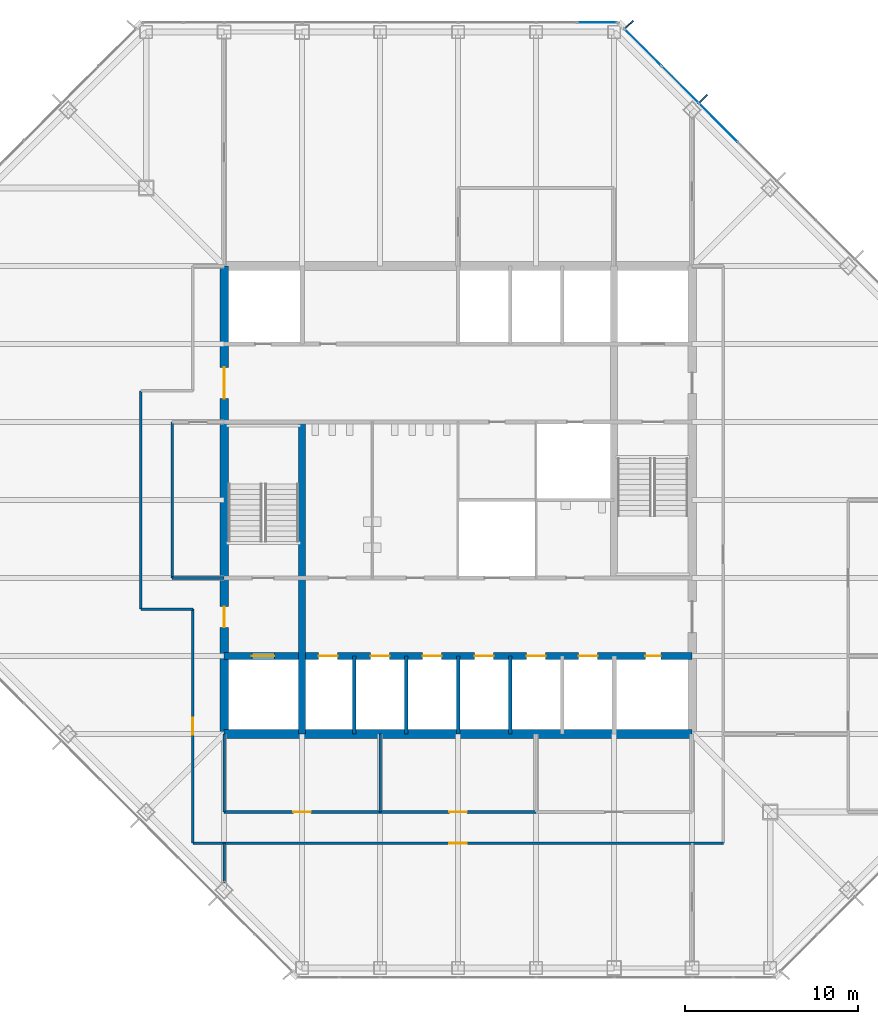
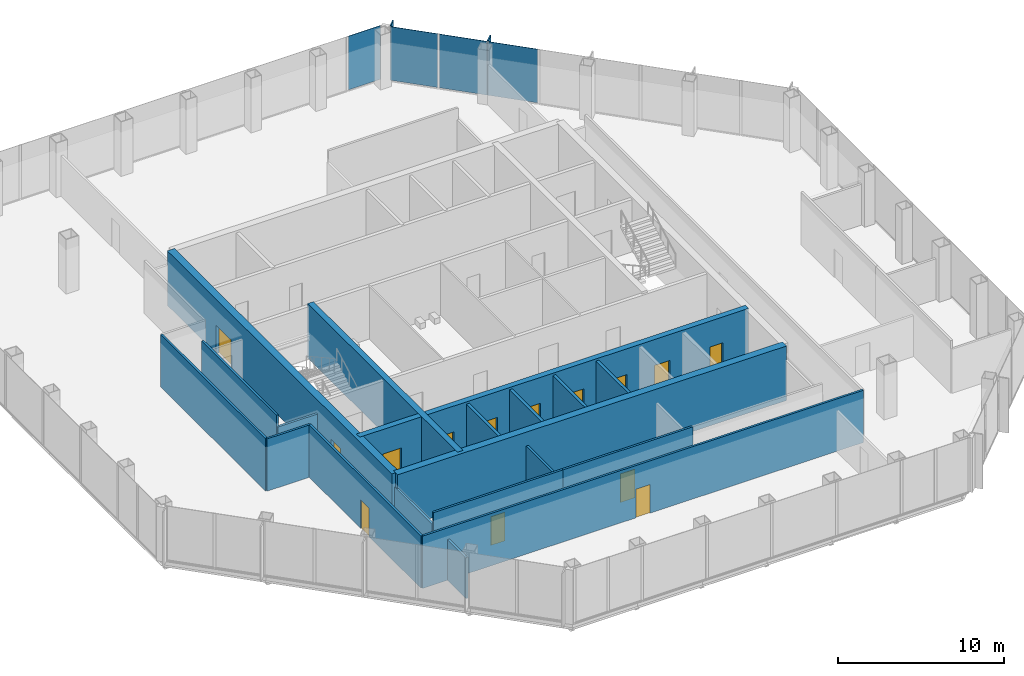
# One storey, part 8 of 12: 19 walls, 14 doors, 6 plates, 14 openings, 2 elements without a shape of their own.
"""IFC4 building model written with IfcOpenShell, lengths in metres."""

from ifc_helpers import new_model, si_unit, direction, frame, frame_2d, origin, origin_2d, place, context, subcontext, project, spatial, rectangle, extrude, material, layer, layer_set, type_object, element, fill, aggregate, save


model = new_model("IFC4")

# Units and contexts
model_context = context("Model", 3, precision=1e-05, world=origin(), true_north=direction((0.0, 1.0)))
body_context = subcontext(model_context, "Body", "Model", "MODEL_VIEW")
ifc_project = project(units=[si_unit("LENGTHUNIT", "METRE"), si_unit("AREAUNIT", "SQUARE_METRE"), si_unit("VOLUMEUNIT", "CUBIC_METRE"), si_unit("PLANEANGLEUNIT", "RADIAN"), si_unit("MASSUNIT", "GRAM", prefix="KILO")], contexts=[model_context])

# Site, building, storey
site_placement = place(None, origin())
site = spatial("IfcSite", under=ifc_project, at=site_placement, CompositionType="ELEMENT")
building_placement = place(site_placement, origin())
building = spatial("IfcBuilding", under=site, at=building_placement, Name="Corais Broadcast Tower", CompositionType="ELEMENT")
storey_placement = place(building_placement, frame((0.0, 0.0, 139.60009765625)))
storey = spatial("IfcBuildingStorey", under=building, at=storey_placement, Name="L31", CompositionType="ELEMENT", Elevation=139.60009765625)

# Curtain wall, plates
ifc_material_1 = material(Name="Aluminium and glass", Category="aluminium")
curtain_wall_type = type_object("IfcCurtainWallType", Name="Unitised fritted curtain wall CW2", PredefinedType="NOTDEFINED", material=ifc_material_1)
curtain_wall_1_placement = place(storey_placement, origin())
curtain_wall_1 = element("IfcCurtainWall", 1, at=curtain_wall_1_placement, inside=storey, type_object=curtain_wall_type, Name="CW2 curtain wall L31 5", PredefinedType="NOTDEFINED")
ifc_material_2 = material(Name="Ceramic-fritted laminated glass", Category="glass")
ifc_layer_1 = layer(ifc_material_2, 0.028076171875)
ifc_layer_set_1 = layer_set([ifc_layer_1], Name="Ceramic-fritted laminated glass")
plate_type_1 = type_object("IfcPlateType", Name="Fritted glass panel CW2", PredefinedType="CURTAIN_PANEL", material=ifc_layer_set_1)
plate_1_placement = place(storey_placement, frame((37.669677734375, 53.108154296875, 0.06494140625), z_axis=(0.0, 0.0, 1.0), x_axis=(0.707106781187, -0.707106781187, 0.0)))
plate_1 = element("IfcPlate", 2, at=plate_1_placement, type_object=plate_type_1, Name="CW2 panel 1", PredefinedType="CURTAIN_PANEL", context=body_context, shape_type="SweptSolid", body=[
    extrude(rectangle(XDim=2.9482421875, YDim=0.028076171875, at=origin_2d()), origin(), (0.0, 0.0, 1.0), 3.93505859375),
])
plate_2_placement = place(storey_placement, frame((42.013916015625, 48.763916015625, 0.06494140625), z_axis=(0.0, 0.0, 1.0), x_axis=(0.707106781187, -0.707106781187, 0.0)))
plate_2 = element("IfcPlate", 3, at=plate_2_placement, type_object=plate_type_1, Name="CW2 panel 3", PredefinedType="CURTAIN_PANEL", context=body_context, shape_type="SweptSolid", body=[
    extrude(rectangle(XDim=3.116943359375, YDim=0.028076171875, at=origin_2d()), origin(), (0.0, 0.0, 1.0), 3.93505859375),
])

# Curtain wall, plate
curtain_wall_2_placement = place(storey_placement, origin())
curtain_wall_2 = element("IfcCurtainWall", 4, at=curtain_wall_2_placement, inside=storey, type_object=curtain_wall_type, Name="CW2 curtain wall L31 4", PredefinedType="NOTDEFINED")
ifc_material_3 = material(Name="Clear laminated glass", Category="glass")
ifc_layer_2 = layer(ifc_material_3, 0.031982421875)
ifc_layer_set_2 = layer_set([ifc_layer_2], Name="Clear laminated glass")
plate_type_2 = type_object("IfcPlateType", Name="Operable glass panel CW2", PredefinedType="CURTAIN_PANEL", material=ifc_layer_set_2)
plate_3_placement = place(storey_placement, frame((35.029541015625, 54.550048828125, 0.06494140625), z_axis=(0.0, 0.0, 1.0), x_axis=(1.0, 0.0, 0.0)))
plate_3 = element("IfcPlate", 5, at=plate_3_placement, type_object=plate_type_2, Name="CW2 operable panel 8", PredefinedType="CURTAIN_PANEL", context=body_context, shape_type="SweptSolid", body=[
    extrude(rectangle(XDim=2.266357421875, YDim=0.031982421875, at=origin_2d()), origin(), (0.0, 0.0, 1.0), 3.93505859375),
])
aggregate(curtain_wall_2, [plate_3])

# Plate
plate_4_placement = place(storey_placement, frame((39.81201171875, 50.9658203125, 0.06494140625), z_axis=(0.0, 0.0, 1.0), x_axis=(0.707106781187, -0.707106781187, 0.0)))
plate_4 = element("IfcPlate", 6, at=plate_4_placement, type_object=plate_type_2, Name="CW2 operable panel 2", PredefinedType="CURTAIN_PANEL", context=body_context, shape_type="SweptSolid", body=[
    extrude(rectangle(XDim=2.98095703125, YDim=0.031982421875, at=origin_2d()), origin(), (0.0, 0.0, 1.0), 3.93505859375),
])

aggregate(curtain_wall_1, [plate_1, plate_4, plate_2])

# Plates
ifc_material_4 = material(Name="Granite stone cladding", Category="masonry")
ifc_layer_3 = layer(ifc_material_4, 0.080078125)
ifc_layer_set_3 = layer_set([ifc_layer_3], Name="Granite stone cladding")
plate_type_3 = type_object("IfcPlateType", Name="Stone screen fin 80x600", PredefinedType="USERDEFINED", material=ifc_layer_set_3)
for number, where, z_axis, x_axis, name in (
    (7, (36.8779296875, 54.447021484375, 0.0), (0.0, 0.0, 1.0), (0.707106781187, -0.707106781187, 0.0), "SF1 stone screen fin L31"),
    (8, (41.16259765625, 50.16259765625, 0.0), (0.0, 0.0, 1.0), (0.707106781187, -0.707106781187, 0.0), "SF1 stone screen fin L31"),
):
    element("IfcPlate", number, at=place(storey_placement, frame(where, z_axis=z_axis, x_axis=x_axis)), inside=storey, type_object=plate_type_3, Name=name, ObjectType="STONE SCREEN FIN", PredefinedType="USERDEFINED", context=body_context, shape_type="SweptSolid", body=[
        extrude(rectangle(XDim=0.080078125, YDim=0.60009765625, at=origin_2d()), origin(), (0.0, 0.0, 1.0), 4.0),
    ])

# Wall
ifc_material_5 = material(Name="Concrete C50/60", Category="concrete")
ifc_layer_4 = layer(ifc_material_5, 0.39990234375)
ifc_layer_set_4 = layer_set([ifc_layer_4], Name="Concrete C50/60")
wall_type_1 = type_object("IfcWallType", Name="Core wall 400", PredefinedType="SHEAR", material=ifc_layer_set_4)
wall_1_placement = place(storey_placement, frame((18.0, 13.5, 0.0), z_axis=(0.0, 0.0, 1.0), x_axis=(0.0, 1.0, 0.0)))
element("IfcWall", 9, at=wall_1_placement, inside=storey, type_object=wall_type_1, Name="CR400 core wall X18A L31", PredefinedType="SHEAR", context=body_context, shape_type="SweptSolid", body=[
    extrude(rectangle(XDim=18.0, YDim=0.39990234375, at=frame_2d((9.0, 0.0))), origin(), (0.0, 0.0, 1.0), 4.0),
])

# Wall, openings, doors
wall_2_placement = place(storey_placement, frame((13.5, 18.0, 0.0), z_axis=(0.0, 0.0, 1.0), x_axis=(1.0, 0.0, 0.0)))
wall_2 = element("IfcWall", 10, at=wall_2_placement, inside=storey, type_object=wall_type_1, Name="CR400 core wall Y18 L31", PredefinedType="SHEAR", context=body_context, shape_type="SweptSolid", body=[
    extrude(rectangle(XDim=27.0, YDim=0.39990234375, at=frame_2d((13.5, 0.0))), origin(), (0.0, 0.0, 1.0), 4.0),
])
opening_1_placement = place(wall_2_placement, frame((24.300048828125, 0.0, 0.0)))
opening_1 = element("IfcOpeningElement", 11, at=opening_1_placement, cuts=wall_2, Name="Opening RD1", PredefinedType="OPENING", context=body_context, shape_type="SweptSolid", body=[
    extrude(rectangle(XDim=0.89990234375, YDim=2.10009765625, at=frame_2d((0.449951171875, 1.050048828125))), frame((0.0, 0.2099609375, 0.0), z_axis=(0.0, -1.0, 0.0), x_axis=(1.0, 0.0, 0.0)), (0.0, 0.0, 1.0), 0.419921875),
])
opening_2_placement = place(wall_2_placement, frame((5.449951171875, 0.0, 0.0)))
opening_2 = element("IfcOpeningElement", 12, at=opening_2_placement, cuts=wall_2, Name="Opening LD1", PredefinedType="OPENING", context=body_context, shape_type="SweptSolid", body=[
    extrude(rectangle(XDim=1.10009765625, YDim=2.10009765625, at=frame_2d((0.550048828125, 1.050048828125))), frame((0.0, 0.2099609375, 0.0), z_axis=(0.0, -1.0, 0.0), x_axis=(1.0, 0.0, 0.0)), (0.0, 0.0, 1.0), 0.419921875),
])
opening_3_placement = place(wall_2_placement, frame((8.449951171875, 0.0, 0.0)))
opening_3 = element("IfcOpeningElement", 13, at=opening_3_placement, cuts=wall_2, Name="Opening LD1", PredefinedType="OPENING", context=body_context, shape_type="SweptSolid", body=[
    extrude(rectangle(XDim=1.10009765625, YDim=2.10009765625, at=frame_2d((0.550048828125, 1.050048828125))), frame((0.0, 0.2099609375, 0.0), z_axis=(0.0, -1.0, 0.0), x_axis=(1.0, 0.0, 0.0)), (0.0, 0.0, 1.0), 0.419921875),
])
opening_4_placement = place(wall_2_placement, frame((11.449951171875, 0.0, 0.0)))
opening_4 = element("IfcOpeningElement", 14, at=opening_4_placement, cuts=wall_2, Name="Opening LD1", PredefinedType="OPENING", context=body_context, shape_type="SweptSolid", body=[
    extrude(rectangle(XDim=1.10009765625, YDim=2.10009765625, at=frame_2d((0.550048828125, 1.050048828125))), frame((0.0, 0.2099609375, 0.0), z_axis=(0.0, -1.0, 0.0), x_axis=(1.0, 0.0, 0.0)), (0.0, 0.0, 1.0), 0.419921875),
])
opening_5_placement = place(wall_2_placement, frame((14.449951171875, 0.0, 0.0)))
opening_5 = element("IfcOpeningElement", 15, at=opening_5_placement, cuts=wall_2, Name="Opening LD1", PredefinedType="OPENING", context=body_context, shape_type="SweptSolid", body=[
    extrude(rectangle(XDim=1.10009765625, YDim=2.10009765625, at=frame_2d((0.550048828125, 1.050048828125))), frame((0.0, 0.2099609375, 0.0), z_axis=(0.0, -1.0, 0.0), x_axis=(1.0, 0.0, 0.0)), (0.0, 0.0, 1.0), 0.419921875),
])
opening_6_placement = place(wall_2_placement, frame((17.449951171875, 0.0, 0.0)))
opening_6 = element("IfcOpeningElement", 16, at=opening_6_placement, cuts=wall_2, Name="Opening LD1", PredefinedType="OPENING", context=body_context, shape_type="SweptSolid", body=[
    extrude(rectangle(XDim=1.10009765625, YDim=2.10009765625, at=frame_2d((0.550048828125, 1.050048828125))), frame((0.0, 0.2099609375, 0.0), z_axis=(0.0, -1.0, 0.0), x_axis=(1.0, 0.0, 0.0)), (0.0, 0.0, 1.0), 0.419921875),
])
opening_7_placement = place(wall_2_placement, frame((20.449951171875, 0.0, 0.0)))
opening_7 = element("IfcOpeningElement", 17, at=opening_7_placement, cuts=wall_2, Name="Opening LD1", PredefinedType="OPENING", context=body_context, shape_type="SweptSolid", body=[
    extrude(rectangle(XDim=1.10009765625, YDim=2.10009765625, at=frame_2d((0.550048828125, 1.050048828125))), frame((0.0, 0.2099609375, 0.0), z_axis=(0.0, -1.0, 0.0), x_axis=(1.0, 0.0, 0.0)), (0.0, 0.0, 1.0), 0.419921875),
])
opening_8_placement = place(wall_2_placement, frame((1.60009765625, 0.0, 0.0)))
opening_8 = element("IfcOpeningElement", 18, at=opening_8_placement, cuts=wall_2, Name="Opening LD2", PredefinedType="OPENING", context=body_context, shape_type="SweptSolid", body=[
    extrude(rectangle(XDim=1.300048828125, YDim=2.199951171875, at=frame_2d((0.64990234375, 1.10009765625))), frame((0.0, 0.2099609375, 0.0), z_axis=(0.0, -1.0, 0.0), x_axis=(1.0, 0.0, 0.0)), (0.0, 0.0, 1.0), 0.419921875),
])
ifc_material_6 = material(Name="Stainless steel lift door", Category="steel")
door_type_1 = type_object("IfcDoorType", Name="Lift landing door 1100x2100", OperationType="SLIDING_TO_LEFT", PredefinedType="DOOR", material=ifc_material_6)
door_1_placement = place(opening_2_placement, origin())
door_1 = element("IfcDoor", 19, at=door_1_placement, inside=storey, type_object=door_type_1, Name="LD1 PM1 landing door L31", OperationType="SLIDING_TO_LEFT", OverallHeight=2.10009765625, OverallWidth=1.10009765625, PredefinedType="DOOR", context=body_context, shape_type="SweptSolid", body=[
    extrude(rectangle(XDim=1.10009765625, YDim=2.10009765625, at=frame_2d((0.550048828125, 1.050048828125))), frame((0.0, 0.02490234375, 0.0), z_axis=(0.0, -1.0, 0.0), x_axis=(1.0, 0.0, 0.0)), (0.0, 0.0, 1.0), 0.050048828125),
])
fill(opening_2, door_1)
door_2_placement = place(opening_3_placement, origin())
door_2 = element("IfcDoor", 20, at=door_2_placement, inside=storey, type_object=door_type_1, Name="LD1 PM2 landing door L31", OperationType="SLIDING_TO_LEFT", OverallHeight=2.10009765625, OverallWidth=1.10009765625, PredefinedType="DOOR", context=body_context, shape_type="SweptSolid", body=[
    extrude(rectangle(XDim=1.10009765625, YDim=2.10009765625, at=frame_2d((0.550048828125, 1.050048828125))), frame((0.0, 0.02490234375, 0.0), z_axis=(0.0, -1.0, 0.0), x_axis=(1.0, 0.0, 0.0)), (0.0, 0.0, 1.0), 0.050048828125),
])
fill(opening_3, door_2)
door_3_placement = place(opening_4_placement, origin())
door_3 = element("IfcDoor", 21, at=door_3_placement, inside=storey, type_object=door_type_1, Name="LD1 PM3 landing door L31", OperationType="SLIDING_TO_LEFT", OverallHeight=2.10009765625, OverallWidth=1.10009765625, PredefinedType="DOOR", context=body_context, shape_type="SweptSolid", body=[
    extrude(rectangle(XDim=1.10009765625, YDim=2.10009765625, at=frame_2d((0.550048828125, 1.050048828125))), frame((0.0, 0.02490234375, 0.0), z_axis=(0.0, -1.0, 0.0), x_axis=(1.0, 0.0, 0.0)), (0.0, 0.0, 1.0), 0.050048828125),
])
fill(opening_4, door_3)
door_4_placement = place(opening_5_placement, origin())
door_4 = element("IfcDoor", 22, at=door_4_placement, inside=storey, type_object=door_type_1, Name="LD1 PM4 landing door L31", OperationType="SLIDING_TO_LEFT", OverallHeight=2.10009765625, OverallWidth=1.10009765625, PredefinedType="DOOR", context=body_context, shape_type="SweptSolid", body=[
    extrude(rectangle(XDim=1.10009765625, YDim=2.10009765625, at=frame_2d((0.550048828125, 1.050048828125))), frame((0.0, 0.02490234375, 0.0), z_axis=(0.0, -1.0, 0.0), x_axis=(1.0, 0.0, 0.0)), (0.0, 0.0, 1.0), 0.050048828125),
])
fill(opening_5, door_4)
door_5_placement = place(opening_6_placement, origin())
door_5 = element("IfcDoor", 23, at=door_5_placement, inside=storey, type_object=door_type_1, Name="LD1 PM5 landing door L31", OperationType="SLIDING_TO_LEFT", OverallHeight=2.10009765625, OverallWidth=1.10009765625, PredefinedType="DOOR", context=body_context, shape_type="SweptSolid", body=[
    extrude(rectangle(XDim=1.10009765625, YDim=2.10009765625, at=frame_2d((0.550048828125, 1.050048828125))), frame((0.0, 0.02490234375, 0.0), z_axis=(0.0, -1.0, 0.0), x_axis=(1.0, 0.0, 0.0)), (0.0, 0.0, 1.0), 0.050048828125),
])
fill(opening_6, door_5)
door_6_placement = place(opening_7_placement, origin())
door_6 = element("IfcDoor", 24, at=door_6_placement, inside=storey, type_object=door_type_1, Name="LD1 PM6 landing door L31", OperationType="SLIDING_TO_LEFT", OverallHeight=2.10009765625, OverallWidth=1.10009765625, PredefinedType="DOOR", context=body_context, shape_type="SweptSolid", body=[
    extrude(rectangle(XDim=1.10009765625, YDim=2.10009765625, at=frame_2d((0.550048828125, 1.050048828125))), frame((0.0, 0.02490234375, 0.0), z_axis=(0.0, -1.0, 0.0), x_axis=(1.0, 0.0, 0.0)), (0.0, 0.0, 1.0), 0.050048828125),
])
fill(opening_7, door_6)
ifc_material_7 = material(Name="Stainless steel lift door", Category="steel")
door_type_2 = type_object("IfcDoorType", Name="Lift landing door 1300x2200", OperationType="SLIDING_TO_LEFT", PredefinedType="DOOR", material=ifc_material_7)
door_7_placement = place(opening_8_placement, origin())
door_7 = element("IfcDoor", 25, at=door_7_placement, inside=storey, type_object=door_type_2, Name="LD2 FL1 landing door L31", OperationType="SLIDING_TO_LEFT", OverallHeight=2.199951171875, OverallWidth=1.300048828125, PredefinedType="DOOR", context=body_context, shape_type="SweptSolid", body=[
    extrude(rectangle(XDim=1.300048828125, YDim=2.199951171875, at=frame_2d((0.64990234375, 1.10009765625))), frame((0.0, 0.02490234375, 0.0), z_axis=(0.0, -1.0, 0.0), x_axis=(1.0, 0.0, 0.0)), (0.0, 0.0, 1.0), 0.050048828125),
])
fill(opening_8, door_7)
ifc_material_8 = material(Name="Steel fire door", Category="steel")
door_type_3 = type_object("IfcDoorType", Name="Riser door 900x2100", OperationType="SINGLE_SWING_LEFT", PredefinedType="DOOR", material=ifc_material_8)
door_8_placement = place(opening_1_placement, origin())
door_8 = element("IfcDoor", 26, at=door_8_placement, inside=storey, type_object=door_type_3, Name="RD1 riser door L31", OperationType="SINGLE_SWING_RIGHT", OverallHeight=2.10009765625, OverallWidth=0.89990234375, PredefinedType="DOOR", context=body_context, shape_type="SweptSolid", body=[
    extrude(rectangle(XDim=0.89990234375, YDim=2.10009765625, at=frame_2d((0.449951171875, 1.050048828125))), frame((0.0, 0.02490234375, 0.0), z_axis=(0.0, -1.0, 0.0), x_axis=(1.0, 0.0, 0.0)), (0.0, 0.0, 1.0), 0.050048828125),
])
fill(opening_1, door_8)

# Wall
ifc_material_9 = material(Name="Concrete C50/60", Category="concrete")
ifc_layer_5 = layer(ifc_material_9, 0.5)
ifc_layer_set_5 = layer_set([ifc_layer_5], Name="Concrete C50/60")
wall_type_2 = type_object("IfcWallType", Name="Core wall 500", PredefinedType="SHEAR", material=ifc_layer_set_5)
wall_3_placement = place(storey_placement, frame((13.5, 13.5, 0.0), z_axis=(0.0, 0.0, 1.0), x_axis=(1.0, 0.0, 0.0)))
element("IfcWall", 27, at=wall_3_placement, inside=storey, type_object=wall_type_2, Name="CR500 core wall S L31", PredefinedType="SHEAR", context=body_context, shape_type="SweptSolid", body=[
    extrude(rectangle(XDim=27.0, YDim=0.5, at=frame_2d((13.5, 0.0))), origin(), (0.0, 0.0, 1.0), 4.0),
])

# Wall, openings, doors
wall_4_placement = place(storey_placement, frame((13.5, 40.5, 0.0), z_axis=(0.0, 0.0, 1.0), x_axis=(0.0, -1.0, 0.0)))
wall_4 = element("IfcWall", 28, at=wall_4_placement, inside=storey, type_object=wall_type_2, Name="CR500 core wall W L31", PredefinedType="SHEAR", context=body_context, shape_type="SweptSolid", body=[
    extrude(rectangle(XDim=27.0, YDim=0.5, at=frame_2d((13.5, 0.0))), origin(), (0.0, 0.0, 1.0), 4.0),
])
opening_9_placement = place(wall_4_placement, frame((19.64990234375, 0.0, 0.0)))
opening_9 = element("IfcOpeningElement", 29, at=opening_9_placement, cuts=wall_4, Name="Opening FD1", PredefinedType="OPENING", context=body_context, shape_type="SweptSolid", body=[
    extrude(rectangle(XDim=1.199951171875, YDim=2.10009765625, at=frame_2d((0.60009765625, 1.050048828125))), frame((0.0, 0.260009765625, 0.0), z_axis=(0.0, -1.0, 0.0), x_axis=(1.0, 0.0, 0.0)), (0.0, 0.0, 1.0), 0.52001953125),
])
opening_10_placement = place(wall_4_placement, frame((5.85009765625, 0.0, 0.0)))
opening_10 = element("IfcOpeningElement", 30, at=opening_10_placement, cuts=wall_4, Name="Opening FD2", PredefinedType="OPENING", context=body_context, shape_type="SweptSolid", body=[
    extrude(rectangle(XDim=1.800048828125, YDim=2.10009765625, at=frame_2d((0.89990234375, 1.050048828125))), frame((0.0, 0.260009765625, 0.0), z_axis=(0.0, -1.0, 0.0), x_axis=(1.0, 0.0, 0.0)), (0.0, 0.0, 1.0), 0.52001953125),
])
ifc_material_10 = material(Name="Steel fire door", Category="steel")
door_type_4 = type_object("IfcDoorType", Name="Fire door 1200x2100", OperationType="SINGLE_SWING_LEFT", PredefinedType="DOOR", material=ifc_material_10)
door_9_placement = place(opening_9_placement, origin())
door_9 = element("IfcDoor", 31, at=door_9_placement, inside=storey, type_object=door_type_4, Name="FD1 fire lobby A door L31", OperationType="SINGLE_SWING_RIGHT", OverallHeight=2.10009765625, OverallWidth=1.199951171875, PredefinedType="DOOR", context=body_context, shape_type="SweptSolid", body=[
    extrude(rectangle(XDim=1.199951171875, YDim=2.10009765625, at=frame_2d((0.60009765625, 1.050048828125))), frame((0.0, 0.02490234375, 0.0), z_axis=(0.0, -1.0, 0.0), x_axis=(1.0, 0.0, 0.0)), (0.0, 0.0, 1.0), 0.050048828125),
])
fill(opening_9, door_9)
ifc_material_11 = material(Name="Steel fire door", Category="steel")
door_type_5 = type_object("IfcDoorType", Name="Fire door pair 1800x2100", OperationType="DOUBLE_DOOR_SINGLE_SWING", PredefinedType="DOOR", material=ifc_material_11)
door_10_placement = place(opening_10_placement, origin())
door_10 = element("IfcDoor", 32, at=door_10_placement, inside=storey, type_object=door_type_5, Name="FD2 lift lobby door L31", OperationType="SINGLE_SWING_LEFT", OverallHeight=2.10009765625, OverallWidth=1.800048828125, PredefinedType="DOOR", context=body_context, shape_type="SweptSolid", body=[
    extrude(rectangle(XDim=1.800048828125, YDim=2.10009765625, at=frame_2d((0.89990234375, 1.050048828125))), frame((0.0, 0.02490234375, 0.0), z_axis=(0.0, -1.0, 0.0), x_axis=(1.0, 0.0, 0.0)), (0.0, 0.0, 1.0), 0.050048828125),
])
fill(opening_10, door_10)

# Wall, opening, door
ifc_material_12 = material(Name="Gypsum board on steel studs", Category="steel")
ifc_layer_6 = layer(ifc_material_12, 0.14990234375)
ifc_layer_set_6 = layer_set([ifc_layer_6], Name="Gypsum board on steel studs")
wall_type_3 = type_object("IfcWallType", Name="Partition 150", PredefinedType="PARTITIONING", material=ifc_layer_set_6)
wall_5_placement = place(storey_placement, frame((11.699951171875, 7.199951171875, 0.0), z_axis=(0.0, 0.0, 1.0), x_axis=(1.0, 0.0, 0.0)))
wall_5 = element("IfcWall", 33, at=wall_5_placement, inside=storey, type_object=wall_type_3, Name="IW3 corridor wall L31", PredefinedType="PARTITIONING", context=body_context, shape_type="SweptSolid", body=[
    extrude(rectangle(XDim=30.60009765625, YDim=0.14990234375, at=frame_2d((15.300048828125, 0.0))), origin(), (0.0, 0.0, 1.0), 3.83984375),
])
opening_11_placement = place(wall_5_placement, frame((14.800048828125, 0.0, 0.0)))
opening_11 = element("IfcOpeningElement", 34, at=opening_11_placement, cuts=wall_5, Name="Opening D1", PredefinedType="OPENING", context=body_context, shape_type="SweptSolid", body=[
    extrude(rectangle(XDim=1.0, YDim=2.10009765625, at=frame_2d((0.5, 1.050048828125))), frame((0.0, 0.0849609375, 0.0), z_axis=(0.0, -1.0, 0.0), x_axis=(1.0, 0.0, 0.0)), (0.0, 0.0, 1.0), 0.169921875),
])
ifc_material_13 = material(Name="Timber door", Category="wood")
door_type_6 = type_object("IfcDoorType", Name="Single door 1000x2100", OperationType="SINGLE_SWING_LEFT", PredefinedType="DOOR", material=ifc_material_13)
door_11_placement = place(opening_11_placement, origin())
door_11 = element("IfcDoor", 35, at=door_11_placement, inside=storey, type_object=door_type_6, Name="D1 workplace door L31", OperationType="SINGLE_SWING_LEFT", OverallHeight=2.10009765625, OverallWidth=1.0, PredefinedType="DOOR", context=body_context, shape_type="SweptSolid", body=[
    extrude(rectangle(XDim=1.0, YDim=2.10009765625, at=frame_2d((0.5, 1.050048828125))), frame((0.0, 0.02490234375, 0.0), z_axis=(0.0, -1.0, 0.0), x_axis=(1.0, 0.0, 0.0)), (0.0, 0.0, 1.0), 0.050048828125),
])
fill(opening_11, door_11)

wall_6_placement = place(storey_placement, frame((11.699951171875, 20.699951171875, 0.0), z_axis=(0.0, 0.0, 1.0), x_axis=(0.0, -1.0, 0.0)))
wall_6 = element("IfcWall", 36, at=wall_6_placement, inside=storey, type_object=wall_type_3, Name="IW3 corridor wall L31", PredefinedType="PARTITIONING", context=body_context, shape_type="SweptSolid", body=[
    extrude(rectangle(XDim=13.5, YDim=0.14990234375, at=frame_2d((6.75, 0.0))), origin(), (0.0, 0.0, 1.0), 3.83984375),
])
opening_12_placement = place(wall_6_placement, frame((6.25, 0.0, 0.0)))
opening_12 = element("IfcOpeningElement", 37, at=opening_12_placement, cuts=wall_6, Name="Opening D1", PredefinedType="OPENING", context=body_context, shape_type="SweptSolid", body=[
    extrude(rectangle(XDim=1.0, YDim=2.10009765625, at=frame_2d((0.5, 1.050048828125))), frame((0.0, 0.0849609375, 0.0), z_axis=(0.0, -1.0, 0.0), x_axis=(1.0, 0.0, 0.0)), (0.0, 0.0, 1.0), 0.169921875),
])
door_12_placement = place(opening_12_placement, origin())
door_12 = element("IfcDoor", 38, at=door_12_placement, inside=storey, type_object=door_type_6, Name="D1 workplace door L31", OperationType="SINGLE_SWING_LEFT", OverallHeight=2.10009765625, OverallWidth=1.0, PredefinedType="DOOR", context=body_context, shape_type="SweptSolid", body=[
    extrude(rectangle(XDim=1.0, YDim=2.10009765625, at=frame_2d((0.5, 1.050048828125))), frame((0.0, 0.02490234375, 0.0), z_axis=(0.0, -1.0, 0.0), x_axis=(1.0, 0.0, 0.0)), (0.0, 0.0, 1.0), 0.050048828125),
])
fill(opening_12, door_12)

# Walls
wall_7_placement = place(storey_placement, frame((8.699951171875, 33.300048828125, 0.0), z_axis=(0.0, 0.0, 1.0), x_axis=(0.0, -1.0, 0.0)))
element("IfcWall", 39, at=wall_7_placement, inside=storey, type_object=wall_type_3, Name="IW3 corridor wall L31", PredefinedType="PARTITIONING", context=body_context, shape_type="SweptSolid", body=[
    extrude(rectangle(XDim=12.60009765625, YDim=0.14990234375, at=frame_2d((6.300048828125, 0.0))), origin(), (0.0, 0.0, 1.0), 3.83984375),
])
wall_8_placement = place(storey_placement, frame((8.699951171875, 20.699951171875, 0.0), z_axis=(0.0, 0.0, 1.0), x_axis=(1.0, 0.0, 0.0)))
element("IfcWall", 40, at=wall_8_placement, inside=storey, type_object=wall_type_3, Name="IW3 corridor wall L31", PredefinedType="PARTITIONING", context=body_context, shape_type="SweptSolid", body=[
    extrude(rectangle(XDim=3.0, YDim=0.14990234375, at=frame_2d((1.5, 0.0))), origin(), (0.0, 0.0, 1.0), 3.83984375),
])

# Wall, opening, door
wall_9_placement = place(storey_placement, frame((13.5, 9.0, 0.0), z_axis=(0.0, 0.0, 1.0), x_axis=(1.0, 0.0, 0.0)))
wall_9 = element("IfcWall", 41, at=wall_9_placement, inside=storey, type_object=wall_type_3, Name="IW3 partition L31", PredefinedType="PARTITIONING", context=body_context, shape_type="SweptSolid", body=[
    extrude(rectangle(XDim=9.0, YDim=0.14990234375, at=frame_2d((4.5, 0.0))), origin(), (0.0, 0.0, 1.0), 3.83984375),
])
opening_13_placement = place(wall_9_placement, frame((4.0, 0.0, 0.0)))
opening_13 = element("IfcOpeningElement", 42, at=opening_13_placement, cuts=wall_9, Name="Opening D1", PredefinedType="OPENING", context=body_context, shape_type="SweptSolid", body=[
    extrude(rectangle(XDim=1.0, YDim=2.10009765625, at=frame_2d((0.5, 1.050048828125))), frame((0.0, 0.0849609375, 0.0), z_axis=(0.0, -1.0, 0.0), x_axis=(1.0, 0.0, 0.0)), (0.0, 0.0, 1.0), 0.169921875),
])
door_13_placement = place(opening_13_placement, origin())
door_13 = element("IfcDoor", 43, at=door_13_placement, inside=storey, type_object=door_type_6, Name="D1 Edit suite door", OperationType="SINGLE_SWING_LEFT", OverallHeight=2.10009765625, OverallWidth=1.0, PredefinedType="DOOR", context=body_context, shape_type="SweptSolid", body=[
    extrude(rectangle(XDim=1.0, YDim=2.10009765625, at=frame_2d((0.5, 1.050048828125))), frame((0.0, 0.02490234375, 0.0), z_axis=(0.0, -1.0, 0.0), x_axis=(1.0, 0.0, 0.0)), (0.0, 0.0, 1.0), 0.050048828125),
])
fill(opening_13, door_13)

# Walls
for number, where, z_axis, x_axis, name in (
    (44, (22.5, 9.0, 0.0), (0.0, 0.0, 1.0), (0.0, 1.0, 0.0), "IW3 partition L31"),
    (45, (13.5, 13.5, 0.0), (0.0, 0.0, 1.0), (0.0, -1.0, 0.0), "IW3 partition L31"),
):
    element("IfcWall", number, at=place(storey_placement, frame(where, z_axis=z_axis, x_axis=x_axis)), inside=storey, type_object=wall_type_3, Name=name, PredefinedType="PARTITIONING", context=body_context, shape_type="SweptSolid", body=[
        extrude(rectangle(XDim=4.5, YDim=0.14990234375, at=frame_2d((2.25, 0.0))), origin(), (0.0, 0.0, 1.0), 2.989013671875),
    ])

# Wall, opening, door
wall_10_placement = place(storey_placement, frame((22.5, 9.0, 0.0), z_axis=(0.0, 0.0, 1.0), x_axis=(1.0, 0.0, 0.0)))
wall_10 = element("IfcWall", 46, at=wall_10_placement, inside=storey, type_object=wall_type_3, Name="IW3 partition L31", PredefinedType="PARTITIONING", context=body_context, shape_type="SweptSolid", body=[
    extrude(rectangle(XDim=9.0, YDim=0.14990234375, at=frame_2d((4.5, 0.0))), origin(), (0.0, 0.0, 1.0), 3.83984375),
])
opening_14_placement = place(wall_10_placement, frame((4.0, 0.0, 0.0)))
opening_14 = element("IfcOpeningElement", 47, at=opening_14_placement, cuts=wall_10, Name="Opening D1", PredefinedType="OPENING", context=body_context, shape_type="SweptSolid", body=[
    extrude(rectangle(XDim=1.0, YDim=2.10009765625, at=frame_2d((0.5, 1.050048828125))), frame((0.0, 0.0849609375, 0.0), z_axis=(0.0, -1.0, 0.0), x_axis=(1.0, 0.0, 0.0)), (0.0, 0.0, 1.0), 0.169921875),
])
door_14_placement = place(opening_14_placement, origin())
door_14 = element("IfcDoor", 48, at=door_14_placement, inside=storey, type_object=door_type_6, Name="D1 Edit suite door", OperationType="SINGLE_SWING_LEFT", OverallHeight=2.10009765625, OverallWidth=1.0, PredefinedType="DOOR", context=body_context, shape_type="SweptSolid", body=[
    extrude(rectangle(XDim=1.0, YDim=2.10009765625, at=frame_2d((0.5, 1.050048828125))), frame((0.0, 0.02490234375, 0.0), z_axis=(0.0, -1.0, 0.0), x_axis=(1.0, 0.0, 0.0)), (0.0, 0.0, 1.0), 0.050048828125),
])
fill(opening_14, door_14)

# Walls
wall_11_placement = place(storey_placement, frame((10.5, 22.5, 0.0), z_axis=(0.0, 0.0, 1.0), x_axis=(1.0, 0.0, 0.0)))
element("IfcWall", 49, at=wall_11_placement, inside=storey, type_object=wall_type_3, Name="IW3 partition L31", PredefinedType="PARTITIONING", context=body_context, shape_type="SweptSolid", body=[
    extrude(rectangle(XDim=3.0, YDim=0.14990234375, at=frame_2d((1.5, 0.0))), origin(), (0.0, 0.0, 1.0), 2.989013671875),
])
wall_12_placement = place(storey_placement, frame((10.5, 31.5, 0.0), z_axis=(0.0, 0.0, 1.0), x_axis=(0.0, -1.0, 0.0)))
element("IfcWall", 50, at=wall_12_placement, inside=storey, type_object=wall_type_3, Name="IW3 partition L31", PredefinedType="PARTITIONING", context=body_context, shape_type="SweptSolid", body=[
    extrude(rectangle(XDim=9.0, YDim=0.14990234375, at=frame_2d((4.5, 0.0))), origin(), (0.0, 0.0, 1.0), 3.83984375),
])
wall_13_placement = place(storey_placement, frame((13.5, 4.89501953125, 0.0), z_axis=(0.0, 0.0, 1.0), x_axis=(0.0, 1.0, 0.0)))
element("IfcWall", 51, at=wall_13_placement, inside=storey, type_object=wall_type_3, Name="IW3 partition L31", PredefinedType="PARTITIONING", context=body_context, shape_type="SweptSolid", body=[
    extrude(rectangle(XDim=2.304931640625, YDim=0.14990234375, at=frame_2d((1.15234375, 0.0))), origin(), (0.0, 0.0, 1.0), 2.989013671875),
])
ifc_material_14 = material(Name="Concrete blockwork class A, grouted, two-hour", Category="masonry")
ifc_layer_7 = layer(ifc_material_14, 0.199951171875)
ifc_layer_set_7 = layer_set([ifc_layer_7], Name="Concrete blockwork class A, grouted, two-hour")
wall_type_4 = type_object("IfcWallType", Name="Shaft wall 200", PredefinedType="PARTITIONING", material=ifc_layer_set_7)
for number, where, z_axis, x_axis, name in (
    (52, (21.0, 13.5, 0.0), (0.0, 0.0, 1.0), (0.0, 1.0, 0.0), "IW1 shaft wall L31"),
    (53, (24.0, 13.5, 0.0), (0.0, 0.0, 1.0), (0.0, 1.0, 0.0), "IW1 shaft wall L31"),
    (54, (27.0, 13.5, 0.0), (0.0, 0.0, 1.0), (0.0, 1.0, 0.0), "IW1 shaft wall L31"),
    (55, (30.0, 13.5, 0.0), (0.0, 0.0, 1.0), (0.0, 1.0, 0.0), "IW1 shaft wall L31"),
):
    element("IfcWall", number, at=place(storey_placement, frame(where, z_axis=z_axis, x_axis=x_axis)), inside=storey, type_object=wall_type_4, Name=name, PredefinedType="PARTITIONING", context=body_context, shape_type="SweptSolid", body=[
        extrude(rectangle(XDim=4.5, YDim=0.199951171875, at=frame_2d((2.25, 0.0))), origin(), (0.0, 0.0, 1.0), 3.83984375),
    ])

save(model, "model.ifc")
